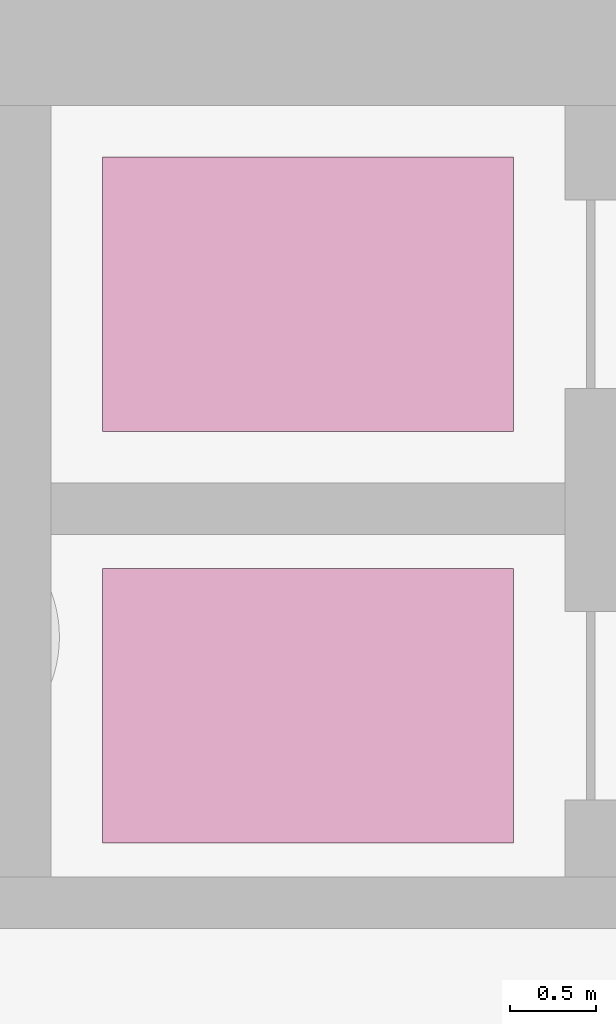
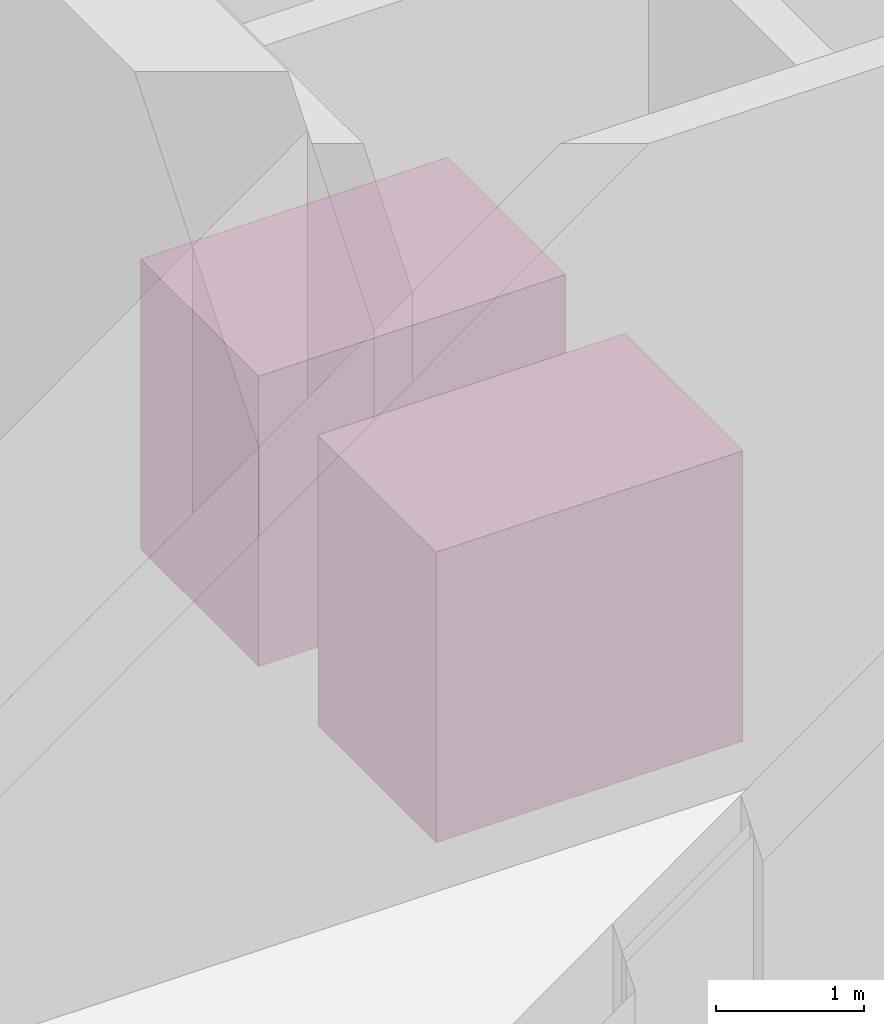
# One storey, part 25 of 25: 2 transport elements.
"""IFC4 building model written with IfcOpenShell, lengths in metres."""

from ifc_helpers import new_model, si_unit, direction, frame, origin, origin_2d, place, context, subcontext, project, spatial, rectangle, extrude, material, type_object, element, save


model = new_model("IFC4")

# Units and contexts
model_context = context("Model", 3, precision=1e-05, world=origin(), true_north=direction((0.0, 1.0)))
body_context = subcontext(model_context, "Body", "Model", "MODEL_VIEW")
ifc_project = project(units=[si_unit("LENGTHUNIT", "METRE"), si_unit("AREAUNIT", "SQUARE_METRE"), si_unit("VOLUMEUNIT", "CUBIC_METRE"), si_unit("PLANEANGLEUNIT", "RADIAN"), si_unit("MASSUNIT", "GRAM", prefix="KILO")], contexts=[model_context])

# Site, building, storey
site_placement = place(None, origin())
site = spatial("IfcSite", under=ifc_project, at=site_placement, CompositionType="ELEMENT")
building_placement = place(site_placement, origin())
building = spatial("IfcBuilding", under=site, at=building_placement, Name="Hunhe Ridgeline Campus", CompositionType="ELEMENT")
storey_placement = place(building_placement, frame((0.0, 0.0, -6.0)))
storey = spatial("IfcBuildingStorey", under=building, at=storey_placement, Name="B1", CompositionType="ELEMENT", Elevation=-6.0)

# Transport elements
ifc_material = material(Name="Stainless steel car", Category="steel")
transport_element_type = type_object("IfcTransportElementType", Name="Firefighting and service lift car 1600x2400", PredefinedType="ELEVATOR", material=ifc_material)
for number, where, z_axis, x_axis, name in (
    (1, (7.199951171875, 94.60009765625, 0.0), (0.0, 0.0, 1.0), (1.0, 0.0, 0.0), "Firefighting and service lift FF1 car"),
    (2, (7.199951171875, 97.0, 0.0), (0.0, 0.0, 1.0), (1.0, 0.0, 0.0), "Firefighting and service lift FF2 car"),
):
    element("IfcTransportElement", number, at=place(storey_placement, frame(where, z_axis=z_axis, x_axis=x_axis)), inside=storey, type_object=transport_element_type, Name=name, PredefinedType="ELEVATOR", context=body_context, shape_type="SweptSolid", body=[
        extrude(rectangle(XDim=2.39990234375, YDim=1.60009765625, at=origin_2d()), origin(), (0.0, 0.0, 1.0), 2.39990234375),
    ])

save(model, "model.ifc")
